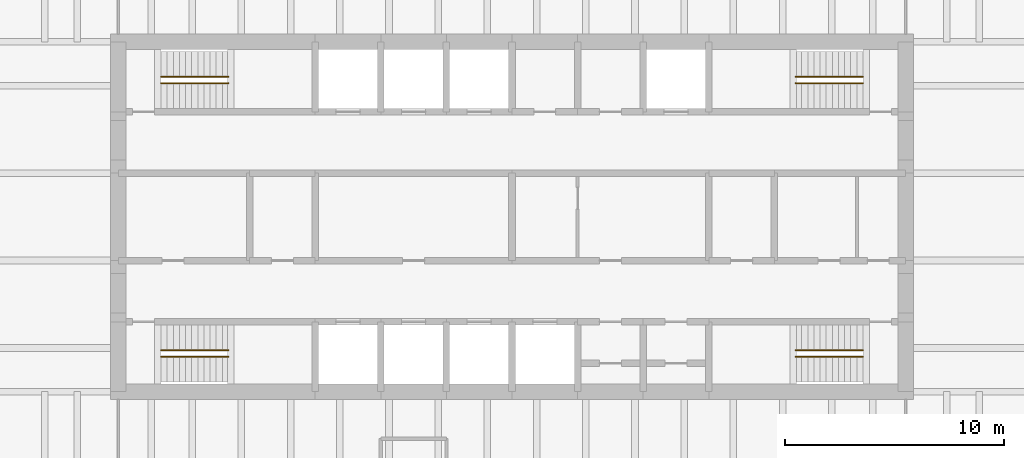
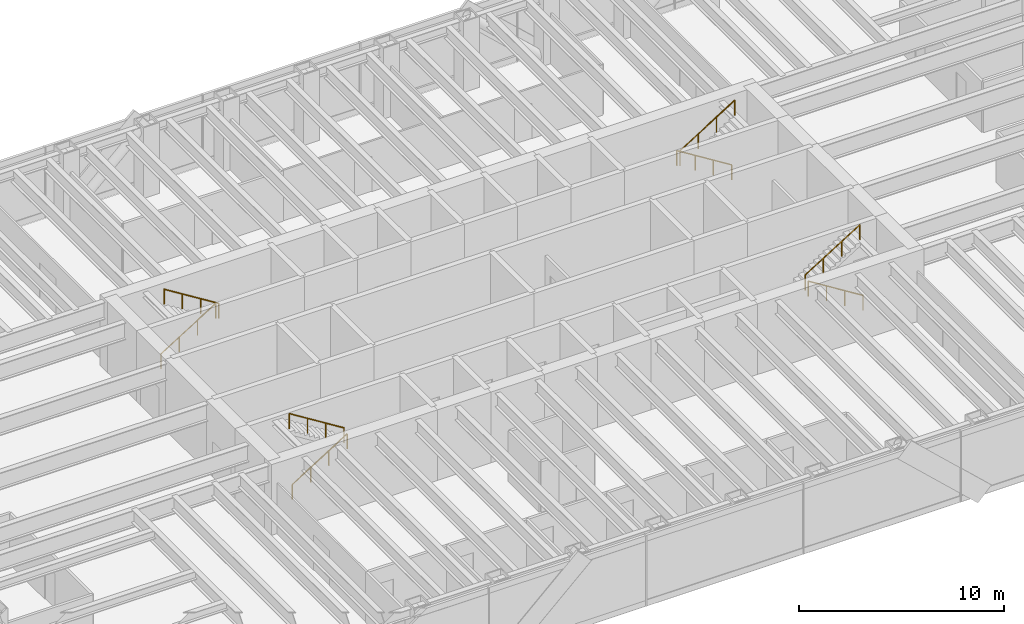
# One storey, part 15 of 15: 8 railings.
"""IFC4 building model written with IfcOpenShell, lengths in metres."""

from ifc_helpers import new_model, si_unit, direction, frame, origin, origin_2d, place, context, subcontext, project, spatial, circle, extrude, material, type_object, element, save


model = new_model("IFC4")

# Units and contexts
model_context = context("Model", 3, precision=1e-05, world=origin(), true_north=direction((0.0, 1.0)))
body_context = subcontext(model_context, "Body", "Model", "MODEL_VIEW")
ifc_project = project(units=[si_unit("LENGTHUNIT", "METRE"), si_unit("AREAUNIT", "SQUARE_METRE"), si_unit("VOLUMEUNIT", "CUBIC_METRE"), si_unit("PLANEANGLEUNIT", "RADIAN"), si_unit("MASSUNIT", "GRAM", prefix="KILO")], contexts=[model_context])

# Site, building, storey
site_placement = place(None, origin())
site = spatial("IfcSite", under=ifc_project, at=site_placement, CompositionType="ELEMENT")
building_placement = place(site_placement, origin())
building = spatial("IfcBuilding", under=site, at=building_placement, Name="Rheinbord Bourse Tower", CompositionType="ELEMENT")
storey_placement = place(building_placement, frame((0.0, 0.0, 292.10009765625)))
storey = spatial("IfcBuildingStorey", under=building, at=storey_placement, Name="L66", CompositionType="ELEMENT", Elevation=292.10009765625)

# Railings
ifc_material = material(Name="Steel handrail", Category="steel")
railing_type = type_object("IfcRailingType", Name="HANDRAIL 900", PredefinedType="HANDRAIL", material=ifc_material)
railing_1_placement = place(storey_placement, frame((19.949951171875, 17.60009765625, 0.1748046875)))
element("IfcRailing", 1, at=railing_1_placement, inside=storey, type_object=railing_type, Name="Handrail", PredefinedType="HANDRAIL", context=body_context, shape_type="SweptSolid", body=[
    extrude(circle(Radius=0.02392578125, at=origin_2d()), frame((0.0, 0.0, 0.8759765625), z_axis=(0.847998304005, 0.0, 0.529998940003), x_axis=(0.0, 1.0, 0.0)), (0.0, 0.0, 1.0), 3.632080078125),
    extrude(circle(Radius=0.02099609375, at=origin_2d()), origin(), (0.0, 0.0, 1.0), 0.851806640625),
    extrude(circle(Radius=0.02099609375, at=origin_2d()), frame((1.026611328125, 0.0, 0.6416015625)), (0.0, 0.0, 1.0), 0.851806640625),
    extrude(circle(Radius=0.02099609375, at=origin_2d()), frame((2.053466796875, 0.0, 1.283447265625)), (0.0, 0.0, 1.0), 0.851806640625),
    extrude(circle(Radius=0.02099609375, at=origin_2d()), frame((3.080078125, 0.0, 1.925048828125)), (0.0, 0.0, 1.0), 0.851806640625),
])
railing_2_placement = place(storey_placement, frame((23.030029296875, 17.89990234375, 2.27490234375)))
element("IfcRailing", 2, at=railing_2_placement, inside=storey, type_object=railing_type, Name="Handrail", PredefinedType="HANDRAIL", context=body_context, shape_type="SweptSolid", body=[
    extrude(circle(Radius=0.02392578125, at=origin_2d()), frame((0.0, 0.0, 0.8759765625), z_axis=(-0.847998304005, 0.0, 0.529998940003), x_axis=(0.0, -1.0, 0.0)), (0.0, 0.0, 1.0), 3.632080078125),
    extrude(circle(Radius=0.02099609375, at=origin_2d()), origin(), (0.0, 0.0, 1.0), 0.851806640625),
    extrude(circle(Radius=0.02099609375, at=origin_2d()), frame((-1.026611328125, 0.0, 0.6416015625)), (0.0, 0.0, 1.0), 0.851806640625),
    extrude(circle(Radius=0.02099609375, at=origin_2d()), frame((-2.053466796875, 0.0, 1.283447265625)), (0.0, 0.0, 1.0), 0.851806640625),
    extrude(circle(Radius=0.02099609375, at=origin_2d()), frame((-3.080078125, 0.0, 1.925048828125)), (0.0, 0.0, 1.0), 0.851806640625),
])
railing_3_placement = place(storey_placement, frame((19.949951171875, 30.39990234375, 0.1748046875)))
element("IfcRailing", 3, at=railing_3_placement, inside=storey, type_object=railing_type, Name="Handrail", PredefinedType="HANDRAIL", context=body_context, shape_type="SweptSolid", body=[
    extrude(circle(Radius=0.02392578125, at=origin_2d()), frame((0.0, 0.0, 0.8759765625), z_axis=(0.847998304005, 0.0, 0.529998940003), x_axis=(0.0, 1.0, 0.0)), (0.0, 0.0, 1.0), 3.632080078125),
    extrude(circle(Radius=0.02099609375, at=origin_2d()), origin(), (0.0, 0.0, 1.0), 0.851806640625),
    extrude(circle(Radius=0.02099609375, at=origin_2d()), frame((1.026611328125, 0.0, 0.6416015625)), (0.0, 0.0, 1.0), 0.851806640625),
    extrude(circle(Radius=0.02099609375, at=origin_2d()), frame((2.053466796875, 0.0, 1.283447265625)), (0.0, 0.0, 1.0), 0.851806640625),
    extrude(circle(Radius=0.02099609375, at=origin_2d()), frame((3.080078125, 0.0, 1.925048828125)), (0.0, 0.0, 1.0), 0.851806640625),
])
for number, where, name in (
    (4, (23.030029296875, 30.10009765625, 2.27490234375), "Handrail"),
    (5, (52.050048828125, 17.60009765625, 0.1748046875), "Handrail"),
):
    element("IfcRailing", number, at=place(storey_placement, frame(where)), inside=storey, type_object=railing_type, Name=name, PredefinedType="HANDRAIL", context=body_context, shape_type="SweptSolid", body=[
        extrude(circle(Radius=0.02392578125, at=origin_2d()), frame((0.0, 0.0, 0.8759765625), z_axis=(-0.847998304005, 0.0, 0.529998940003), x_axis=(0.0, -1.0, 0.0)), (0.0, 0.0, 1.0), 3.632080078125),
        extrude(circle(Radius=0.02099609375, at=origin_2d()), origin(), (0.0, 0.0, 1.0), 0.851806640625),
        extrude(circle(Radius=0.02099609375, at=origin_2d()), frame((-1.026611328125, 0.0, 0.6416015625)), (0.0, 0.0, 1.0), 0.851806640625),
        extrude(circle(Radius=0.02099609375, at=origin_2d()), frame((-2.053466796875, 0.0, 1.283447265625)), (0.0, 0.0, 1.0), 0.851806640625),
        extrude(circle(Radius=0.02099609375, at=origin_2d()), frame((-3.080078125, 0.0, 1.925048828125)), (0.0, 0.0, 1.0), 0.851806640625),
    ])
railing_4_placement = place(storey_placement, frame((48.969970703125, 17.89990234375, 2.27490234375)))
element("IfcRailing", 6, at=railing_4_placement, inside=storey, type_object=railing_type, Name="Handrail", PredefinedType="HANDRAIL", context=body_context, shape_type="SweptSolid", body=[
    extrude(circle(Radius=0.02392578125, at=origin_2d()), frame((0.0, 0.0, 0.8759765625), z_axis=(0.847998304005, 0.0, 0.529998940003), x_axis=(0.0, 1.0, 0.0)), (0.0, 0.0, 1.0), 3.632080078125),
    extrude(circle(Radius=0.02099609375, at=origin_2d()), origin(), (0.0, 0.0, 1.0), 0.851806640625),
    extrude(circle(Radius=0.02099609375, at=origin_2d()), frame((1.026611328125, 0.0, 0.6416015625)), (0.0, 0.0, 1.0), 0.851806640625),
    extrude(circle(Radius=0.02099609375, at=origin_2d()), frame((2.053466796875, 0.0, 1.283447265625)), (0.0, 0.0, 1.0), 0.851806640625),
    extrude(circle(Radius=0.02099609375, at=origin_2d()), frame((3.080078125, 0.0, 1.925048828125)), (0.0, 0.0, 1.0), 0.851806640625),
])
railing_5_placement = place(storey_placement, frame((52.050048828125, 30.39990234375, 0.1748046875)))
element("IfcRailing", 7, at=railing_5_placement, inside=storey, type_object=railing_type, Name="Handrail", PredefinedType="HANDRAIL", context=body_context, shape_type="SweptSolid", body=[
    extrude(circle(Radius=0.02392578125, at=origin_2d()), frame((0.0, 0.0, 0.8759765625), z_axis=(-0.847998304005, 0.0, 0.529998940003), x_axis=(0.0, -1.0, 0.0)), (0.0, 0.0, 1.0), 3.632080078125),
    extrude(circle(Radius=0.02099609375, at=origin_2d()), origin(), (0.0, 0.0, 1.0), 0.851806640625),
    extrude(circle(Radius=0.02099609375, at=origin_2d()), frame((-1.026611328125, 0.0, 0.6416015625)), (0.0, 0.0, 1.0), 0.851806640625),
    extrude(circle(Radius=0.02099609375, at=origin_2d()), frame((-2.053466796875, 0.0, 1.283447265625)), (0.0, 0.0, 1.0), 0.851806640625),
    extrude(circle(Radius=0.02099609375, at=origin_2d()), frame((-3.080078125, 0.0, 1.925048828125)), (0.0, 0.0, 1.0), 0.851806640625),
])
railing_6_placement = place(storey_placement, frame((48.969970703125, 30.10009765625, 2.27490234375)))
element("IfcRailing", 8, at=railing_6_placement, inside=storey, type_object=railing_type, Name="Handrail", PredefinedType="HANDRAIL", context=body_context, shape_type="SweptSolid", body=[
    extrude(circle(Radius=0.02392578125, at=origin_2d()), frame((0.0, 0.0, 0.8759765625), z_axis=(0.847998304005, 0.0, 0.529998940003), x_axis=(0.0, 1.0, 0.0)), (0.0, 0.0, 1.0), 3.632080078125),
    extrude(circle(Radius=0.02099609375, at=origin_2d()), origin(), (0.0, 0.0, 1.0), 0.851806640625),
    extrude(circle(Radius=0.02099609375, at=origin_2d()), frame((1.026611328125, 0.0, 0.6416015625)), (0.0, 0.0, 1.0), 0.851806640625),
    extrude(circle(Radius=0.02099609375, at=origin_2d()), frame((2.053466796875, 0.0, 1.283447265625)), (0.0, 0.0, 1.0), 0.851806640625),
    extrude(circle(Radius=0.02099609375, at=origin_2d()), frame((3.080078125, 0.0, 1.925048828125)), (0.0, 0.0, 1.0), 0.851806640625),
])

save(model, "model.ifc")
